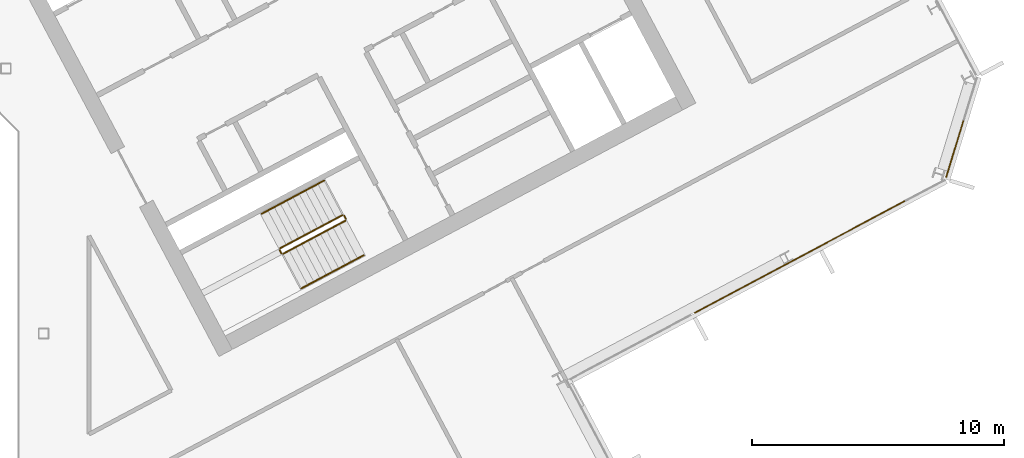
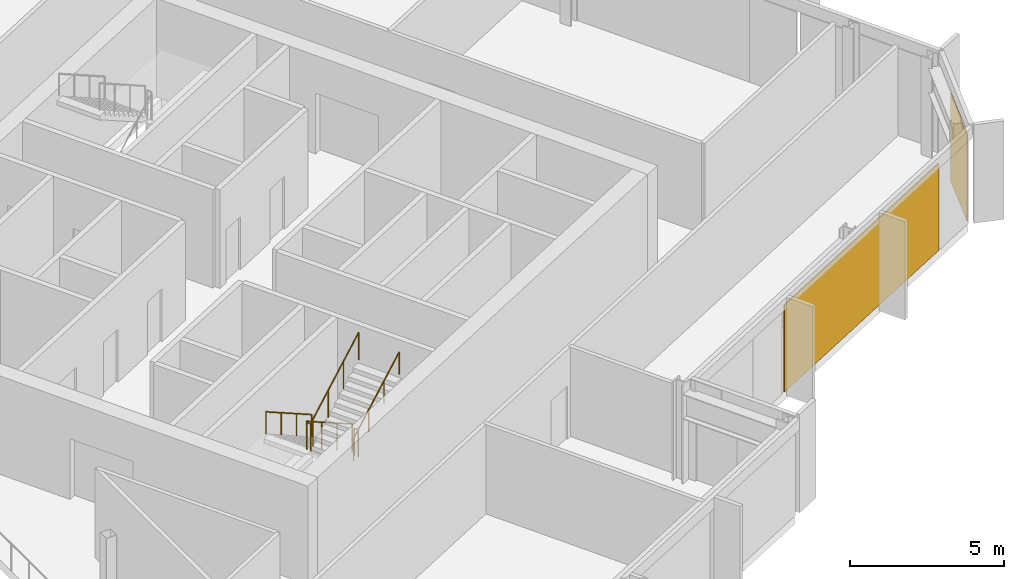
# One storey, part 24 of 26: 6 railings, 2 coverings, 2 elements without a shape of their own.
"""IFC4 building model written with IfcOpenShell, lengths in metres."""

import ifcopenshell
import ifcopenshell.guid

model = None  # the IFC model being written
_history = None  # IfcOwnerHistory: only IFC2X3 demands one
_inside = {}  # id of a spatial element -> (the spatial element, [elements in it])
_under = {}  # id of a project, library or spatial element -> (it, [spatial elements below it])
_declared = {}  # id of a project -> (the project, [libraries it declares])
_typed = {}  # id of a type object -> (the type object, [elements of that type])
_made_of = {}  # id of a material, layer set ... -> (it, [elements and type objects made of it])


def new_model(schema):
    """Start an empty IFC model of exactly this schema.

    Asked for "IFC4X3", IfcOpenShell would pick the latest addendum, in which some entities
    have other attributes; the version numbers below select the first issue.
    IFC2X3 requires an IfcOwnerHistory on every rooted entity: one is made here for all.
    """
    global model, _history
    if schema == "IFC4X3":
        model = ifcopenshell.file(schema_version=(4, 3, 0, 0))
    else:
        model = ifcopenshell.file(schema=schema)
    _inside.clear()
    _under.clear()
    _declared.clear()
    _typed.clear()
    _made_of.clear()
    _history = None
    if model.schema == "IFC2X3":
        org = make("IfcOrganization", Name="unknown")
        user = make(
            "IfcPersonAndOrganization",
            ThePerson=make("IfcPerson", FamilyName="unknown"),
            TheOrganization=org,
        )
        app = make(
            "IfcApplication",
            ApplicationDeveloper=org,
            Version="unknown",
            ApplicationFullName="unknown",
            ApplicationIdentifier="unknown",
        )
        _history = make(
            "IfcOwnerHistory",
            OwningUser=user,
            OwningApplication=app,
            ChangeAction="ADDED",
            CreationDate=0,
        )
    return model


def make(cls, **values):
    """One entity of the class cls with the attributes given. An attribute that is None is left unset."""
    return model.create_entity(
        cls, **{name: value for name, value in values.items() if value is not None}
    )


def rooted(cls, **values):
    """An entity with a GlobalId (a new one), such as an element, a storey or a relation."""
    return make(cls, GlobalId=ifcopenshell.guid.new(), OwnerHistory=_history, **values)


def si_unit(unit_type, name, prefix=None):
    """IfcSIUnit, for example si_unit("LENGTHUNIT", "METRE", prefix="MILLI")."""
    return make("IfcSIUnit", UnitType=unit_type, Prefix=prefix, Name=name)


def assignment(units):
    """IfcUnitAssignment: the units of a project."""
    return None if units is None else make("IfcUnitAssignment", Units=units)


def point(xyz):
    """IfcCartesianPoint."""
    return None if xyz is None else make("IfcCartesianPoint", Coordinates=xyz)


def direction(xyz):
    """IfcDirection."""
    return None if xyz is None else make("IfcDirection", DirectionRatios=xyz)


def frame(location, z_axis=None, x_axis=None):
    """IfcAxis2Placement3D, a coordinate frame: its origin and axes. An axis left out is left unset."""
    return make(
        "IfcAxis2Placement3D",
        Location=point(location),
        Axis=direction(z_axis),
        RefDirection=direction(x_axis),
    )


def frame_2d(location, x_axis=None):
    """IfcAxis2Placement2D, a coordinate frame in the plane: its origin and x axis."""
    return make(
        "IfcAxis2Placement2D", Location=point(location), RefDirection=direction(x_axis)
    )


def origin():
    """The frame at (0, 0, 0) with its axes left unset."""
    return frame((0.0, 0.0, 0.0))


def origin_2d():
    """The frame at (0, 0) in the plane with its x axis left unset."""
    return frame_2d((0.0, 0.0))


def place(relative_to, where):
    """IfcLocalPlacement: puts the frame where relative to a parent placement (None: the world)."""
    return make(
        "IfcLocalPlacement", PlacementRelTo=relative_to, RelativePlacement=where
    )


def context(
    kind, dimensions, precision=None, world=None, true_north=None, identifier=None
):
    """IfcGeometricRepresentationContext, for example the 3D "Model" context."""
    return make(
        "IfcGeometricRepresentationContext",
        ContextIdentifier=identifier,
        ContextType=kind,
        CoordinateSpaceDimension=dimensions,
        Precision=precision,
        WorldCoordinateSystem=world,
        TrueNorth=true_north,
    )


def subcontext(parent, identifier, kind, view, scale=None):
    """IfcGeometricRepresentationSubContext, for example "Body" below "Model"."""
    return make(
        "IfcGeometricRepresentationSubContext",
        ContextIdentifier=identifier,
        ContextType=kind,
        ParentContext=parent,
        TargetScale=scale,
        TargetView=view,
    )


def project(units=None, contexts=None):
    """IfcProject with its units and contexts."""
    return rooted(
        "IfcProject",
        Name="project",
        RepresentationContexts=contexts,
        UnitsInContext=assignment(units),
    )


def spatial(cls, under=None, at=None, **own):
    """A site, building, storey or space (cls), placed at a placement, below another one or the project."""
    s = rooted(cls, ObjectPlacement=at, **own)
    if under is not None:
        _under.setdefault(under.id(), (under, []))[1].append(s)
    return s


def polyline(points):
    """IfcPolyline through the points."""
    return make("IfcPolyline", Points=[point(p) for p in points])


def profile(cls, at=None, kind="AREA", **sizes):
    """A parametric profile (cls). Its sizes go by their IFC names, for example OverallWidth=200.0."""
    return make(cls, ProfileType=kind, Position=at, **sizes)


def rectangle(**sizes):
    """IfcRectangleProfileDef."""
    return profile("IfcRectangleProfileDef", **sizes)


def outline(outer, holes=None, kind="AREA"):
    """IfcArbitraryClosedProfileDef: a profile drawn as a closed curve; with holes, ...WithVoids."""
    if holes is None:
        return make("IfcArbitraryClosedProfileDef", ProfileType=kind, OuterCurve=outer)
    return make(
        "IfcArbitraryProfileDefWithVoids",
        ProfileType=kind,
        OuterCurve=outer,
        InnerCurves=holes,
    )


def extrude(swept, where, along, depth):
    """IfcExtrudedAreaSolid: the profile swept, set in the frame where, extruded along a direction by depth."""
    return make(
        "IfcExtrudedAreaSolid",
        SweptArea=swept,
        Position=where,
        ExtrudedDirection=direction(along),
        Depth=depth,
    )


def shape(context_of_items, identifier, shape_type, items):
    """IfcShapeRepresentation: the items that make up one representation, for example the "Body"."""
    return make(
        "IfcShapeRepresentation",
        ContextOfItems=context_of_items,
        RepresentationIdentifier=identifier,
        RepresentationType=shape_type,
        Items=items,
    )


def material(Name=None, Category=None):
    """IfcMaterial."""
    return make("IfcMaterial", Name=Name, Category=Category)


def layer(
    of_material, thickness, ventilated=None, Name=None, Category=None, Priority=None
):
    """IfcMaterialLayer: one layer of a wall or slab, of a material (None: an air gap)."""
    return make(
        "IfcMaterialLayer",
        Material=of_material,
        LayerThickness=thickness,
        IsVentilated=ventilated,
        Name=Name,
        Category=Category,
        Priority=Priority,
    )


def layer_set(layers, Name=None):
    """IfcMaterialLayerSet."""
    return make("IfcMaterialLayerSet", MaterialLayers=layers, LayerSetName=Name)


def made_of(thing, what):
    """Note that an element or type object is made of a material, layer set ...; save() writes the relation."""
    if what is not None:
        _made_of.setdefault(what.id(), (what, []))[1].append(thing)
    return thing


def type_object(cls, material=None, **own):
    """A type object (cls), such as IfcWallType, which elements share."""
    return made_of(rooted(cls, **own), material)


def element(
    cls,
    number,
    at=None,
    inside=None,
    cuts=None,
    type_object=None,
    material=None,
    context=None,
    identifier="Body",
    shape_type=None,
    held_by="IfcProductDefinitionShape",
    body=None,
    shapes=None,
    **own,
):
    """One element of the class cls, such as IfcWall. Its Tag is "e" and its number.

    at: its placement. inside: the storey or other place that contains it. cuts: it is an
    opening in that element (IfcRelVoidsElement). A single representation is given by context,
    identifier, shape_type and body (its items); several are given by shapes. held_by: the class
    of the entity that holds the representations. save() writes the other relations.
    """
    e = rooted(cls, Tag="e%d" % number, ObjectPlacement=at, **own)
    if body is not None:
        shapes = [shape(context, identifier, shape_type, body)]
    if shapes is not None:
        e.Representation = make(held_by, Representations=shapes)
    if inside is not None:
        _inside.setdefault(inside.id(), (inside, []))[1].append(e)
    if cuts is not None:
        rooted(
            "IfcRelVoidsElement", RelatingBuildingElement=cuts, RelatedOpeningElement=e
        )
    if type_object is not None:
        _typed.setdefault(type_object.id(), (type_object, []))[1].append(e)
    return made_of(e, material)


def aggregate(whole, parts):
    """IfcRelAggregates: a whole, such as a stair, and the parts it consists of."""
    return rooted("IfcRelAggregates", RelatingObject=whole, RelatedObjects=parts)


def save(model, path):
    """Write the relations noted so far, then the file.

    IfcRelAggregates (storeys below a building ...), IfcRelContainedInSpatialStructure (elements
    in a storey), IfcRelDefinesByType, IfcRelAssociatesMaterial and IfcRelDeclares: one each for
    every whole, place, type object, material and project.
    """
    for whole, parts in _under.values():
        aggregate(whole, parts)
    for where, things in _inside.values():
        rooted(
            "IfcRelContainedInSpatialStructure",
            RelatedElements=things,
            RelatingStructure=where,
        )
    for kind, things in _typed.values():
        rooted("IfcRelDefinesByType", RelatedObjects=things, RelatingType=kind)
    for what, things in _made_of.values():
        rooted("IfcRelAssociatesMaterial", RelatedObjects=things, RelatingMaterial=what)
    for by, libraries in _declared.values():
        rooted("IfcRelDeclares", RelatingContext=by, RelatedDefinitions=libraries)
    model.write(path)


model = new_model("IFC4")

# Units and contexts
model_context = context("Model", 3, precision=1e-05, world=origin(), true_north=direction((0.0, 1.0)))
body_context = subcontext(model_context, "Body", "Model", "MODEL_VIEW")
ifc_project = project(units=[si_unit("LENGTHUNIT", "METRE"), si_unit("AREAUNIT", "SQUARE_METRE"), si_unit("VOLUMEUNIT", "CUBIC_METRE"), si_unit("PLANEANGLEUNIT", "RADIAN"), si_unit("MASSUNIT", "GRAM", prefix="KILO")], contexts=[model_context])

# Site, building, storey
site_placement = place(None, origin())
site = spatial("IfcSite", under=ifc_project, at=site_placement, CompositionType="ELEMENT")
building_placement = place(site_placement, origin())
building = spatial("IfcBuilding", under=site, at=building_placement, Name="Cormorant Relay Tower", CompositionType="ELEMENT")
storey_placement = place(building_placement, frame((0.0, 0.0, 193.5)))
storey = spatial("IfcBuildingStorey", under=building, at=storey_placement, Name="L41", CompositionType="ELEMENT", Elevation=193.5)

# Curtain wall, covering
ifc_material_1 = material(Name="Aluminium 6063-T6 anodised bronze", Category="aluminium")
ifc_layer_1 = layer(ifc_material_1, 0.199951171875)
ifc_layer_set_1 = layer_set([ifc_layer_1], Name="CW1 unitised bronze curtain wall with vertical fins")
curtain_wall_type = type_object("IfcCurtainWallType", Name="CW1 unitised bronze curtain wall with vertical fins", PredefinedType="NOTDEFINED", material=ifc_layer_set_1)
curtain_wall_1_placement = place(storey_placement, origin())
curtain_wall_1 = element("IfcCurtainWall", 1, at=curtain_wall_1_placement, inside=storey, type_object=curtain_wall_type, Name="CW1 curtain wall 4", PredefinedType="NOTDEFINED")
ifc_material_2 = material(Name="Pale bronze anodised aluminium insulated panel", Category="aluminium")
ifc_layer_2 = layer(ifc_material_2, 0.0400390625)
ifc_layer_set_2 = layer_set([ifc_layer_2], Name="CW1 pale bronze insulated panel 40")
covering_type = type_object("IfcCoveringType", Name="CW1 pale bronze insulated panel 40", PredefinedType="CLADDING", material=ifc_layer_set_2)
covering_1_placement = place(storey_placement, frame((41.9580078125, 3.033203125, 0.0), z_axis=(0.0, 0.0, 1.0), x_axis=(0.882947592859, 0.469471562786, 0.0)))
covering_1 = element("IfcCovering", 2, at=covering_1_placement, type_object=covering_type, Name="CW1 panel S02", PredefinedType="CLADDING", context=body_context, shape_type="SweptSolid", body=[
    extrude(rectangle(XDim=9.458251953125, YDim=0.0400390625, at=origin_2d()), origin(), (0.0, 0.0, 1.0), 3.449951171875),
])
aggregate(curtain_wall_1, [covering_1])

curtain_wall_2_placement = place(storey_placement, origin())
curtain_wall_2 = element("IfcCurtainWall", 3, at=curtain_wall_2_placement, inside=storey, type_object=curtain_wall_type, Name="CW1 curtain wall 5", PredefinedType="NOTDEFINED")
covering_2_placement = place(storey_placement, frame((48.100830078125, 7.314208984375, 0.0), z_axis=(0.0, 0.0, 1.0), x_axis=(0.292371704723, 0.956304755963, 0.0)))
covering_2 = element("IfcCovering", 4, at=covering_2_placement, type_object=covering_type, Name="CW1 panel S00", PredefinedType="CLADDING", context=body_context, shape_type="SweptSolid", body=[
    extrude(rectangle(XDim=2.36767578125, YDim=0.0400390625, at=origin_2d()), origin(), (0.0, 0.0, 1.0), 3.449951171875),
])
aggregate(curtain_wall_2, [covering_2])

# Railings
ifc_material_3 = material(Name="Steel ASTM A572 Grade 50 (Fy 345 MPa)", Category="steel")
railing_type_1 = type_object("IfcRailingType", Name="Stair guard 1100", PredefinedType="GUARDRAIL", material=ifc_material_3)
railing_1_placement = place(storey_placement, frame((23.83837890625, 4.6904296875, 0.17724609375)))
element("IfcRailing", 5, at=railing_1_placement, inside=storey, type_object=railing_type_1, Name="L41 B1 stair guard 1", PredefinedType="GUARDRAIL", context=body_context, shape_type="SweptSolid", body=[
    extrude(outline(polyline([(0.022216796875, 0.00927734375), (0.00927734375, 0.022216796875), (-0.00927734375, 0.022216796875), (-0.022216796875, 0.00927734375), (-0.022216796875, -0.00927734375), (-0.00927734375, -0.022216796875), (0.00927734375, -0.022216796875), (0.022216796875, -0.00927734375), (0.022216796875, 0.00927734375)])), frame((0.0, 0.0, 1.076171875), z_axis=(-0.746033882577, -0.396627473466, 0.534901947407), x_axis=(0.469429322983, -0.882970050864, 0.0)), (0.0, 0.0, 1.0), 3.31396484375),
    extrude(outline(polyline([(0.019287109375, 0.008056640625), (0.008056640625, 0.019287109375), (-0.008056640625, 0.019287109375), (-0.019287109375, 0.008056640625), (-0.019287109375, -0.008056640625), (-0.008056640625, -0.019287109375), (0.008056640625, -0.019287109375), (0.019287109375, -0.008056640625), (0.019287109375, 0.008056640625)])), origin(), (0.0, 0.0, 1.0), 1.052001953125),
    extrude(outline(polyline([(0.019287109375, 0.008056640625), (0.008056640625, 0.019287109375), (-0.008056640625, 0.019287109375), (-0.019287109375, 0.008056640625), (-0.019287109375, -0.008056640625), (-0.008056640625, -0.019287109375), (0.008056640625, -0.019287109375), (0.019287109375, -0.008056640625), (0.019287109375, 0.008056640625)])), frame((-0.82421875, -0.438232421875, 0.5908203125)), (0.0, 0.0, 1.0), 1.052001953125),
    extrude(outline(polyline([(0.019287109375, 0.008056640625), (0.008056640625, 0.019287109375), (-0.008056640625, 0.019287109375), (-0.019287109375, 0.008056640625), (-0.019287109375, -0.008056640625), (-0.008056640625, -0.019287109375), (0.008056640625, -0.019287109375), (0.019287109375, -0.008056640625), (0.019287109375, 0.008056640625)])), frame((-1.648193359375, -0.876220703125, 1.181884765625)), (0.0, 0.0, 1.0), 1.052001953125),
    extrude(outline(polyline([(0.019287109375, 0.008056640625), (0.008056640625, 0.019287109375), (-0.008056640625, 0.019287109375), (-0.019287109375, 0.008056640625), (-0.019287109375, -0.008056640625), (-0.008056640625, -0.019287109375), (0.008056640625, -0.019287109375), (0.019287109375, -0.008056640625), (0.019287109375, 0.008056640625)])), frame((-2.472412109375, -1.314453125, 1.772705078125)), (0.0, 0.0, 1.0), 1.052001953125),
])
railing_2_placement = place(storey_placement, frame((21.345458984375, 3.308349609375, 1.949951171875)))
element("IfcRailing", 6, at=railing_2_placement, inside=storey, type_object=railing_type_1, Name="L41 B1 stair guard 2", PredefinedType="GUARDRAIL", context=body_context, shape_type="SweptSolid", body=[
    extrude(outline(polyline([(0.022216796875, 0.00927734375), (0.00927734375, 0.022216796875), (-0.00927734375, 0.022216796875), (-0.022216796875, 0.00927734375), (-0.022216796875, -0.00927734375), (-0.00927734375, -0.022216796875), (0.00927734375, -0.022216796875), (0.022216796875, -0.00927734375), (0.022216796875, 0.00927734375)])), frame((0.0, 0.0, 1.076171875), z_axis=(0.46856034887, -0.8834314911, 0.0), x_axis=(0.8834314911, 0.46856034887, 0.0)), (0.0, 0.0, 1.0), 0.150146484375),
    extrude(outline(polyline([(0.019287109375, 0.008056640625), (0.008056640625, 0.019287109375), (-0.008056640625, 0.019287109375), (-0.019287109375, 0.008056640625), (-0.019287109375, -0.008056640625), (-0.008056640625, -0.019287109375), (0.008056640625, -0.019287109375), (0.019287109375, -0.008056640625), (0.019287109375, 0.008056640625)])), origin(), (0.0, 0.0, 1.0), 1.052001953125),
    extrude(outline(polyline([(0.019287109375, 0.008056640625), (0.008056640625, 0.019287109375), (-0.008056640625, 0.019287109375), (-0.019287109375, 0.008056640625), (-0.019287109375, -0.008056640625), (-0.008056640625, -0.019287109375), (0.008056640625, -0.019287109375), (0.019287109375, -0.008056640625), (0.019287109375, 0.008056640625)])), frame((0.0703125, -0.132568359375, 0.0)), (0.0, 0.0, 1.0), 1.052001953125),
])
railing_3_placement = place(storey_placement, frame((21.4833984375, 3.1552734375, 2.127197265625)))
element("IfcRailing", 7, at=railing_3_placement, inside=storey, type_object=railing_type_1, Name="L41 B1 stair guard 3", PredefinedType="GUARDRAIL", context=body_context, shape_type="SweptSolid", body=[
    extrude(outline(polyline([(0.022216796875, 0.00927734375), (0.00927734375, 0.022216796875), (-0.00927734375, 0.022216796875), (-0.022216796875, 0.00927734375), (-0.022216796875, -0.00927734375), (-0.00927734375, -0.022216796875), (0.00927734375, -0.022216796875), (0.022216796875, -0.00927734375), (0.022216796875, 0.00927734375)])), frame((0.0, 0.0, 1.076171875), z_axis=(0.746001213114, 0.396649272309, 0.534931345884), x_axis=(-0.469465464807, 0.882950835185, 0.0)), (0.0, 0.0, 1.0), 3.31396484375),
    extrude(outline(polyline([(0.019287109375, 0.008056640625), (0.008056640625, 0.019287109375), (-0.008056640625, 0.019287109375), (-0.019287109375, 0.008056640625), (-0.019287109375, -0.008056640625), (-0.008056640625, -0.019287109375), (0.008056640625, -0.019287109375), (0.019287109375, -0.008056640625), (0.019287109375, 0.008056640625)])), origin(), (0.0, 0.0, 1.0), 1.052001953125),
    extrude(outline(polyline([(0.019287109375, 0.008056640625), (0.008056640625, 0.019287109375), (-0.008056640625, 0.019287109375), (-0.019287109375, 0.008056640625), (-0.019287109375, -0.008056640625), (-0.008056640625, -0.019287109375), (0.008056640625, -0.019287109375), (0.019287109375, -0.008056640625), (0.019287109375, 0.008056640625)])), frame((0.823974609375, 0.438232421875, 0.5908203125)), (0.0, 0.0, 1.0), 1.052001953125),
    extrude(outline(polyline([(0.019287109375, 0.008056640625), (0.008056640625, 0.019287109375), (-0.008056640625, 0.019287109375), (-0.019287109375, 0.008056640625), (-0.019287109375, -0.008056640625), (-0.008056640625, -0.019287109375), (0.008056640625, -0.019287109375), (0.019287109375, -0.008056640625), (0.019287109375, 0.008056640625)])), frame((1.648193359375, 0.876220703125, 1.181884765625)), (0.0, 0.0, 1.0), 1.052001953125),
    extrude(outline(polyline([(0.019287109375, 0.008056640625), (0.008056640625, 0.019287109375), (-0.008056640625, 0.019287109375), (-0.019287109375, 0.008056640625), (-0.019287109375, -0.008056640625), (-0.008056640625, -0.019287109375), (0.008056640625, -0.019287109375), (0.019287109375, -0.008056640625), (0.019287109375, 0.008056640625)])), frame((2.47216796875, 1.314453125, 1.772705078125)), (0.0, 0.0, 1.0), 1.052001953125),
])
railing_4_placement = place(storey_placement, frame((23.906005859375, 4.669677734375, 0.0)))
element("IfcRailing", 8, at=railing_4_placement, inside=storey, type_object=railing_type_1, Name="L41 B1 stair guard 4", PredefinedType="GUARDRAIL", context=body_context, shape_type="SweptSolid", body=[
    extrude(outline(polyline([(0.022216796875, 0.00927734375), (0.00927734375, 0.022216796875), (-0.00927734375, 0.022216796875), (-0.022216796875, 0.00927734375), (-0.022216796875, -0.00927734375), (-0.00927734375, -0.022216796875), (0.00927734375, -0.022216796875), (0.022216796875, -0.00927734375), (0.022216796875, 0.00927734375)])), frame((0.0, 0.0, 1.076171875), z_axis=(0.469234640946, -0.883073525669, 0.0), x_axis=(0.883073525669, 0.469234640946, 0.0)), (0.0, 0.0, 1.0), 0.14990234375),
    extrude(outline(polyline([(0.019287109375, 0.008056640625), (0.008056640625, 0.019287109375), (-0.008056640625, 0.019287109375), (-0.019287109375, 0.008056640625), (-0.019287109375, -0.008056640625), (-0.008056640625, -0.019287109375), (0.008056640625, -0.019287109375), (0.019287109375, -0.008056640625), (0.019287109375, 0.008056640625)])), origin(), (0.0, 0.0, 1.0), 1.052001953125),
    extrude(outline(polyline([(0.019287109375, 0.008056640625), (0.008056640625, 0.019287109375), (-0.008056640625, 0.019287109375), (-0.019287109375, 0.008056640625), (-0.019287109375, -0.008056640625), (-0.008056640625, -0.019287109375), (0.008056640625, -0.019287109375), (0.019287109375, -0.008056640625), (0.019287109375, 0.008056640625)])), frame((0.0703125, -0.13232421875, 0.0)), (0.0, 0.0, 1.0), 1.052001953125),
])
ifc_material_4 = material(Name="Steel ASTM A572 Grade 50 (Fy 345 MPa)", Category="steel")
railing_type_2 = type_object("IfcRailingType", Name="Stair handrail 900", PredefinedType="HANDRAIL", material=ifc_material_4)
railing_5_placement = place(storey_placement, frame((23.110595703125, 6.05908203125, 0.17724609375)))
element("IfcRailing", 9, at=railing_5_placement, inside=storey, type_object=railing_type_2, Name="L41 B1 stair handrail 1", PredefinedType="HANDRAIL", context=body_context, shape_type="SweptSolid", body=[
    extrude(outline(polyline([(0.022216796875, 0.00927734375), (0.00927734375, 0.022216796875), (-0.00927734375, 0.022216796875), (-0.022216796875, 0.00927734375), (-0.022216796875, -0.00927734375), (-0.00927734375, -0.022216796875), (0.00927734375, -0.022216796875), (0.022216796875, -0.00927734375), (0.022216796875, 0.00927734375)])), frame((0.0, 0.0, 0.8759765625), z_axis=(-0.745979412481, -0.396711350603, 0.534915713414), x_axis=(0.469533439143, -0.882914689835, 0.0)), (0.0, 0.0, 1.0), 3.31396484375),
    extrude(outline(polyline([(0.019287109375, 0.008056640625), (0.008056640625, 0.019287109375), (-0.008056640625, 0.019287109375), (-0.019287109375, 0.008056640625), (-0.019287109375, -0.008056640625), (-0.008056640625, -0.019287109375), (0.008056640625, -0.019287109375), (0.019287109375, -0.008056640625), (0.019287109375, 0.008056640625)])), origin(), (0.0, 0.0, 1.0), 0.851806640625),
    extrude(outline(polyline([(0.019287109375, 0.008056640625), (0.008056640625, 0.019287109375), (-0.008056640625, 0.019287109375), (-0.019287109375, 0.008056640625), (-0.019287109375, -0.008056640625), (-0.008056640625, -0.019287109375), (0.008056640625, -0.019287109375), (0.019287109375, -0.008056640625), (0.019287109375, 0.008056640625)])), frame((-0.823974609375, -0.438232421875, 0.5908203125)), (0.0, 0.0, 1.0), 0.851806640625),
    extrude(outline(polyline([(0.019287109375, 0.008056640625), (0.008056640625, 0.019287109375), (-0.008056640625, 0.019287109375), (-0.019287109375, 0.008056640625), (-0.019287109375, -0.008056640625), (-0.008056640625, -0.019287109375), (0.008056640625, -0.019287109375), (0.019287109375, -0.008056640625), (0.019287109375, 0.008056640625)])), frame((-1.648193359375, -0.87646484375, 1.181884765625)), (0.0, 0.0, 1.0), 0.851806640625),
    extrude(outline(polyline([(0.019287109375, 0.008056640625), (0.008056640625, 0.019287109375), (-0.008056640625, 0.019287109375), (-0.019287109375, 0.008056640625), (-0.019287109375, -0.008056640625), (-0.008056640625, -0.019287109375), (0.008056640625, -0.019287109375), (0.019287109375, -0.008056640625), (0.019287109375, 0.008056640625)])), frame((-2.47216796875, -1.314697265625, 1.772705078125)), (0.0, 0.0, 1.0), 0.851806640625),
])
railing_6_placement = place(storey_placement, frame((22.211181640625, 1.78662109375, 2.127197265625)))
element("IfcRailing", 10, at=railing_6_placement, inside=storey, type_object=railing_type_2, Name="L41 B1 stair handrail 2", PredefinedType="HANDRAIL", context=body_context, shape_type="SweptSolid", body=[
    extrude(outline(polyline([(0.022216796875, 0.00927734375), (0.00927734375, 0.022216796875), (-0.00927734375, 0.022216796875), (-0.022216796875, 0.00927734375), (-0.022216796875, -0.00927734375), (-0.00927734375, -0.022216796875), (0.00927734375, -0.022216796875), (0.022216796875, -0.00927734375), (0.022216796875, 0.00927734375)])), frame((0.0, 0.0, 0.8759765625), z_axis=(0.746001213114, 0.396649272309, 0.534931345884), x_axis=(-0.469465464807, 0.882950835185, 0.0)), (0.0, 0.0, 1.0), 3.31396484375),
    extrude(outline(polyline([(0.019287109375, 0.008056640625), (0.008056640625, 0.019287109375), (-0.008056640625, 0.019287109375), (-0.019287109375, 0.008056640625), (-0.019287109375, -0.008056640625), (-0.008056640625, -0.019287109375), (0.008056640625, -0.019287109375), (0.019287109375, -0.008056640625), (0.019287109375, 0.008056640625)])), origin(), (0.0, 0.0, 1.0), 0.851806640625),
    extrude(outline(polyline([(0.019287109375, 0.008056640625), (0.008056640625, 0.019287109375), (-0.008056640625, 0.019287109375), (-0.019287109375, 0.008056640625), (-0.019287109375, -0.008056640625), (-0.008056640625, -0.019287109375), (0.008056640625, -0.019287109375), (0.019287109375, -0.008056640625), (0.019287109375, 0.008056640625)])), frame((0.823974609375, 0.438232421875, 0.5908203125)), (0.0, 0.0, 1.0), 0.851806640625),
    extrude(outline(polyline([(0.019287109375, 0.008056640625), (0.008056640625, 0.019287109375), (-0.008056640625, 0.019287109375), (-0.019287109375, 0.008056640625), (-0.019287109375, -0.008056640625), (-0.008056640625, -0.019287109375), (0.008056640625, -0.019287109375), (0.019287109375, -0.008056640625), (0.019287109375, 0.008056640625)])), frame((1.648193359375, 0.876220703125, 1.181884765625)), (0.0, 0.0, 1.0), 0.851806640625),
    extrude(outline(polyline([(0.019287109375, 0.008056640625), (0.008056640625, 0.019287109375), (-0.008056640625, 0.019287109375), (-0.019287109375, 0.008056640625), (-0.019287109375, -0.008056640625), (-0.008056640625, -0.019287109375), (0.008056640625, -0.019287109375), (0.019287109375, -0.008056640625), (0.019287109375, 0.008056640625)])), frame((2.47216796875, 1.314453125, 1.772705078125)), (0.0, 0.0, 1.0), 0.851806640625),
])

save(model, "model.ifc")
